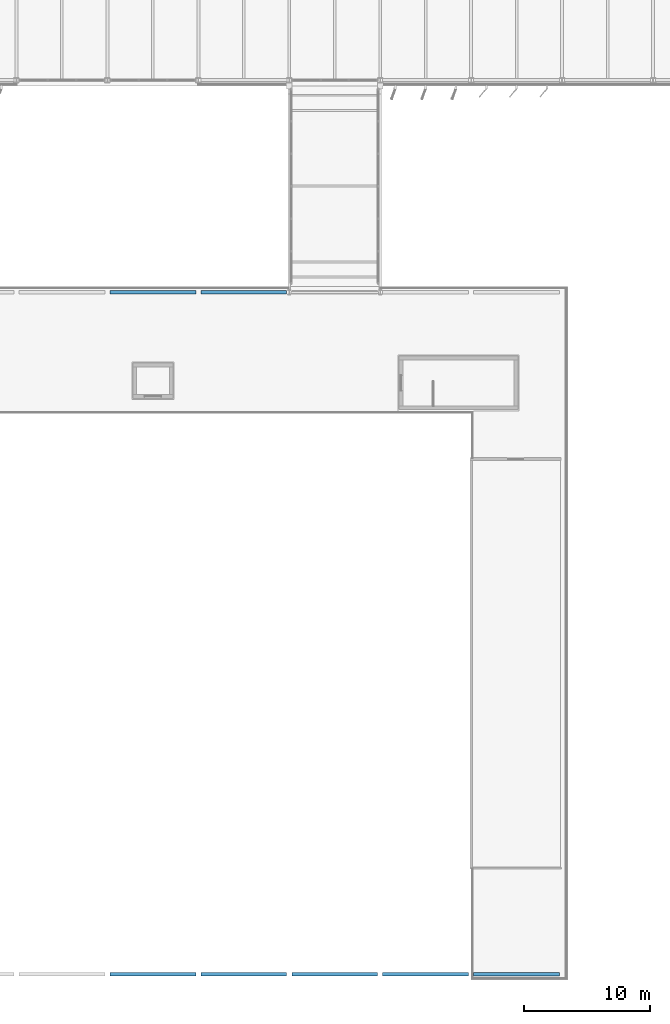
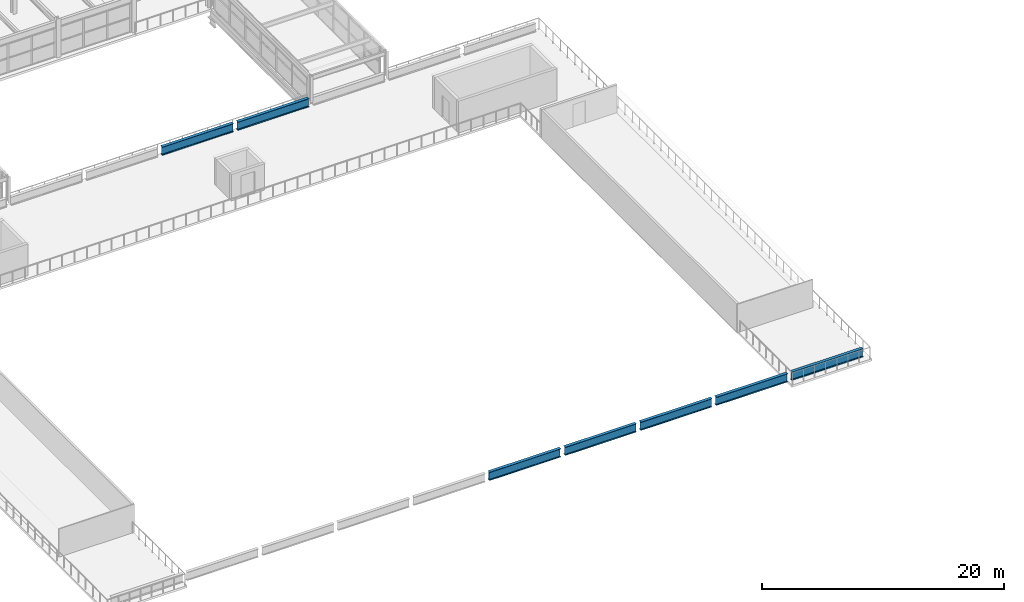
# One storey, part 20 of 93: 7 beams.
"""IFC4 building model written with IfcOpenShell, lengths in metres."""

from ifc_helpers import new_model, si_unit, direction, frame, origin, origin_2d, place, context, subcontext, project, spatial, i_section, extrude, material, material_profile, profile_set, type_object, element, save


model = new_model("IFC4")

# Units and contexts
model_context = context("Model", 3, precision=1e-05, world=origin(), true_north=direction((0.0, 1.0)))
body_context = subcontext(model_context, "Body", "Model", "MODEL_VIEW")
ifc_project = project(units=[si_unit("LENGTHUNIT", "METRE"), si_unit("AREAUNIT", "SQUARE_METRE"), si_unit("VOLUMEUNIT", "CUBIC_METRE"), si_unit("PLANEANGLEUNIT", "RADIAN"), si_unit("MASSUNIT", "GRAM", prefix="KILO")], contexts=[model_context])

# Site, building, storey
site_placement = place(None, origin())
site = spatial("IfcSite", under=ifc_project, at=site_placement, CompositionType="ELEMENT")
building_placement = place(site_placement, origin())
building = spatial("IfcBuilding", under=site, at=building_placement, Name="Vaelcorin Mobility Hub", CompositionType="ELEMENT")
storey_placement = place(building_placement, frame((0.0, 0.0, 5.39990234375)))
storey = spatial("IfcBuildingStorey", under=building, at=storey_placement, Name="L01", CompositionType="ELEMENT", Elevation=5.39990234375)

# Beams
ifc_material = material(Name="Steel ASTM A992 Grade 50", Category="steel")
ifc_material_profile = material_profile(ifc_material, i_section(OverallWidth=0.2919921875, OverallDepth=0.841064453125, WebThickness=0.0146484375, FlangeThickness=0.021728515625, FilletRadius=0.01806640625, at=origin_2d()), Name="W33X130")
ifc_profile_set = profile_set([ifc_material_profile], Name="Steel ASTM A992 Grade 50")
beam_type = type_object("IfcBeamType", Name="BM-W33X130", PredefinedType="BEAM", material=ifc_profile_set)
for number, where, z_axis, x_axis, name in (
    (1, (72.199951171875, 6.0, 0.630126953125), (1.0, 0.0, 0.0), (0.0, 1.0, 0.0), "L01 Beam V1-EAVE-S-06"),
    (2, (72.199951171875, 60.0, 0.630126953125), (1.0, 0.0, 0.0), (0.0, 1.0, 0.0), "L01 Beam V1-EAVE-N-06"),
    (3, (79.39990234375, 6.0, 0.630126953125), (1.0, 0.0, 0.0), (0.0, 1.0, 0.0), "L01 Beam V1-EAVE-S-07"),
    (4, (79.39990234375, 60.0, 0.630126953125), (1.0, 0.0, 0.0), (0.0, 1.0, 0.0), "L01 Beam V1-EAVE-N-07"),
):
    element("IfcBeam", number, at=place(storey_placement, frame(where, z_axis=z_axis, x_axis=x_axis)), inside=storey, type_object=beam_type, Name=name, PredefinedType="BEAM", context=body_context, shape_type="SweptSolid", body=[
        extrude(i_section(OverallWidth=0.2919921875, OverallDepth=0.841064453125, WebThickness=0.0146484375, FlangeThickness=0.021728515625, FilletRadius=0.01806640625, at=origin_2d()), origin(), (0.0, 0.0, 1.0), 6.800048828125),
    ])
beam_placement = place(storey_placement, frame((86.60009765625, 6.0, 0.630126953125), z_axis=(1.0, 0.0, 0.0), x_axis=(0.0, 1.0, 0.0)))
element("IfcBeam", 5, at=beam_placement, inside=storey, type_object=beam_type, Name="L01 Beam V1-EAVE-S-08", PredefinedType="BEAM", context=body_context, shape_type="SweptSolid", body=[
    extrude(i_section(OverallWidth=0.2919921875, OverallDepth=0.841064453125, WebThickness=0.0146484375, FlangeThickness=0.021728515625, FilletRadius=0.01806640625, at=origin_2d()), origin(), (0.0, 0.0, 1.0), 6.7998046875),
])
for number, where, z_axis, x_axis, name in (
    (6, (93.800048828125, 6.0, 0.630126953125), (1.0, 0.0, 0.0), (0.0, 1.0, 0.0), "L01 Beam V1-EAVE-S-09"),
    (7, (101.0, 6.0, 0.630126953125), (1.0, 0.0, 0.0), (0.0, 1.0, 0.0), "L01 Beam V1-EAVE-S-10"),
):
    element("IfcBeam", number, at=place(storey_placement, frame(where, z_axis=z_axis, x_axis=x_axis)), inside=storey, type_object=beam_type, Name=name, PredefinedType="BEAM", context=body_context, shape_type="SweptSolid", body=[
        extrude(i_section(OverallWidth=0.2919921875, OverallDepth=0.841064453125, WebThickness=0.0146484375, FlangeThickness=0.021728515625, FilletRadius=0.01806640625, at=origin_2d()), origin(), (0.0, 0.0, 1.0), 6.800048828125),
    ])

save(model, "model.ifc")
